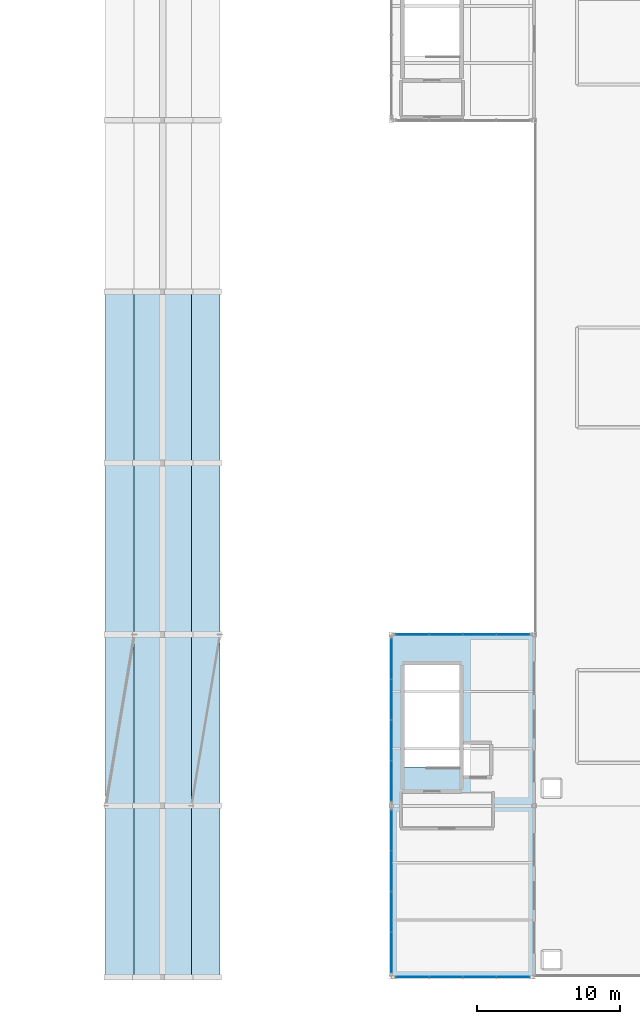
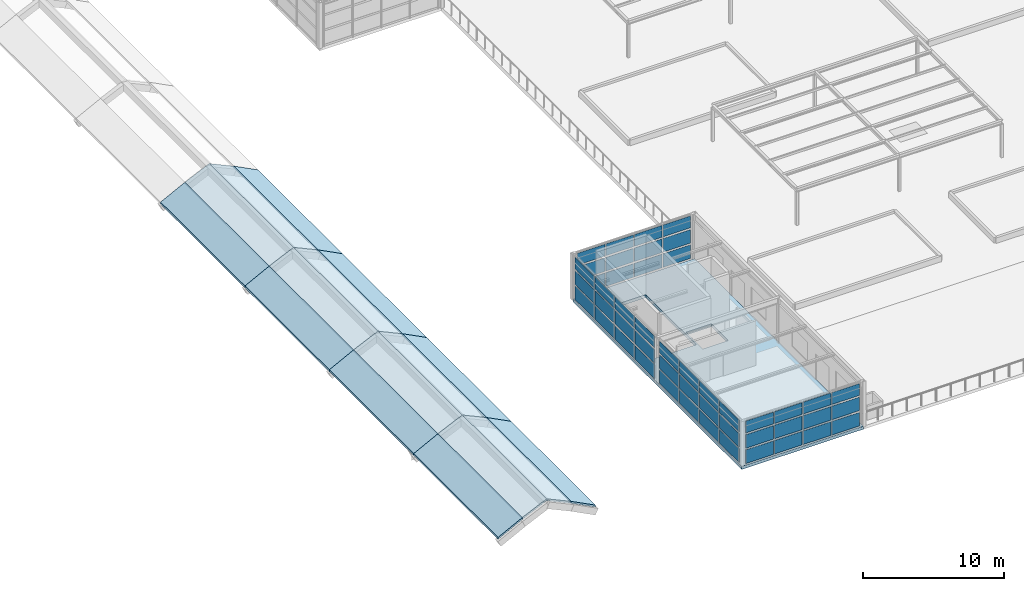
# One storey, part 31 of 49: 48 plates, 17 slabs, 4 elements without a shape of their own.
"""IFC4 building model written with IfcOpenShell, lengths in metres."""

from ifc_helpers import new_model, si_unit, direction, frame, origin, origin_2d, place, context, subcontext, project, spatial, polyline, rectangle, outline, extrude, material, layer, layer_set, type_object, element, aggregate, save


model = new_model("IFC4")

# Units and contexts
model_context = context("Model", 3, precision=1e-05, world=origin(), true_north=direction((0.0, 1.0)))
body_context = subcontext(model_context, "Body", "Model", "MODEL_VIEW")
ifc_project = project(units=[si_unit("LENGTHUNIT", "METRE"), si_unit("AREAUNIT", "SQUARE_METRE"), si_unit("VOLUMEUNIT", "CUBIC_METRE"), si_unit("PLANEANGLEUNIT", "RADIAN"), si_unit("MASSUNIT", "GRAM", prefix="KILO")], contexts=[model_context])

# Site, building, storey
site_placement = place(None, origin())
site = spatial("IfcSite", under=ifc_project, at=site_placement, CompositionType="ELEMENT")
building_placement = place(site_placement, origin())
building = spatial("IfcBuilding", under=site, at=building_placement, Name="Sitalva Quay Ferry Terminal", CompositionType="ELEMENT")
storey_placement = place(building_placement, frame((0.0, 0.0, 10.199951171875)))
storey = spatial("IfcBuildingStorey", under=building, at=storey_placement, Name="L03", CompositionType="ELEMENT", Elevation=10.199951171875)

# Curtain wall, plates
ifc_material_1 = material(Name="Anodised Aluminium & Low-E Glazing", Category="aluminium")
ifc_layer_1 = layer(ifc_material_1, 0.159912109375)
ifc_layer_set_1 = layer_set([ifc_layer_1], Name="Anodised Aluminium & Low-E Glazing")
curtain_wall_type = type_object("IfcCurtainWallType", Name="CW_Concourse_Unitised", PredefinedType="USERDEFINED", material=ifc_layer_set_1)
curtain_wall_1_placement = place(storey_placement, origin())
curtain_wall_1 = element("IfcCurtainWall", 1, at=curtain_wall_1_placement, inside=storey, type_object=curtain_wall_type, Name="L03 promenade pavilion south glazing (CW-L03-086)", ObjectType="CURTAIN_WALL", PredefinedType="USERDEFINED")
ifc_material_2 = material(Name="Acoustic Laminated Marine Glazing", Category="glass")
ifc_layer_2 = layer(ifc_material_2, 0.033935546875)
ifc_layer_set_2 = layer_set([ifc_layer_2], Name="Acoustic Laminated Marine Glazing")
plate_type = type_object("IfcPlateType", Name="Panel_Marine_IGU_34", PredefinedType="CURTAIN_PANEL", material=ifc_layer_set_2)
plate_1_placement = place(storey_placement, frame((75.47509765625, 6.0, 0.14990234375), z_axis=(0.0, 0.0, 1.0), x_axis=(1.0, 0.0, 0.0)))
plate_1 = element("IfcPlate", 2, at=plate_1_placement, type_object=plate_type, Name="CW-L03-086-P0-0", PredefinedType="CURTAIN_PANEL", context=body_context, shape_type="SweptSolid", body=[
    extrude(rectangle(XDim=2.264892578125, YDim=0.033935546875, at=origin_2d()), origin(), (0.0, 0.0, 1.0), 1.1767578125),
])
plate_2_placement = place(storey_placement, frame((75.47509765625, 6.0, 1.4765625), z_axis=(0.0, 0.0, 1.0), x_axis=(1.0, 0.0, 0.0)))
plate_2 = element("IfcPlate", 3, at=plate_2_placement, type_object=plate_type, Name="CW-L03-086-P0-1", PredefinedType="CURTAIN_PANEL", context=body_context, shape_type="SweptSolid", body=[
    extrude(rectangle(XDim=2.264892578125, YDim=0.033935546875, at=origin_2d()), origin(), (0.0, 0.0, 1.0), 1.1767578125),
])
plate_3_placement = place(storey_placement, frame((75.47509765625, 6.0, 2.80322265625), z_axis=(0.0, 0.0, 1.0), x_axis=(1.0, 0.0, 0.0)))
plate_3 = element("IfcPlate", 4, at=plate_3_placement, type_object=plate_type, Name="CW-L03-086-P0-2", PredefinedType="CURTAIN_PANEL", context=body_context, shape_type="SweptSolid", body=[
    extrude(rectangle(XDim=2.264892578125, YDim=0.033935546875, at=origin_2d()), origin(), (0.0, 0.0, 1.0), 1.026611328125),
])
plate_4_placement = place(storey_placement, frame((77.824951171875, 6.0, 0.14990234375), z_axis=(0.0, 0.0, 1.0), x_axis=(1.0, 0.0, 0.0)))
plate_4 = element("IfcPlate", 5, at=plate_4_placement, type_object=plate_type, Name="CW-L03-086-P1-0", PredefinedType="CURTAIN_PANEL", context=body_context, shape_type="SweptSolid", body=[
    extrude(rectangle(XDim=2.264892578125, YDim=0.033935546875, at=origin_2d()), origin(), (0.0, 0.0, 1.0), 1.1767578125),
])
plate_5_placement = place(storey_placement, frame((77.824951171875, 6.0, 1.4765625), z_axis=(0.0, 0.0, 1.0), x_axis=(1.0, 0.0, 0.0)))
plate_5 = element("IfcPlate", 6, at=plate_5_placement, type_object=plate_type, Name="CW-L03-086-P1-1", PredefinedType="CURTAIN_PANEL", context=body_context, shape_type="SweptSolid", body=[
    extrude(rectangle(XDim=2.264892578125, YDim=0.033935546875, at=origin_2d()), origin(), (0.0, 0.0, 1.0), 1.1767578125),
])
plate_6_placement = place(storey_placement, frame((77.824951171875, 6.0, 2.80322265625), z_axis=(0.0, 0.0, 1.0), x_axis=(1.0, 0.0, 0.0)))
plate_6 = element("IfcPlate", 7, at=plate_6_placement, type_object=plate_type, Name="CW-L03-086-P1-2", PredefinedType="CURTAIN_PANEL", context=body_context, shape_type="SweptSolid", body=[
    extrude(rectangle(XDim=2.264892578125, YDim=0.033935546875, at=origin_2d()), origin(), (0.0, 0.0, 1.0), 1.026611328125),
])
plate_7_placement = place(storey_placement, frame((80.175048828125, 6.0, 0.14990234375), z_axis=(0.0, 0.0, 1.0), x_axis=(1.0, 0.0, 0.0)))
plate_7 = element("IfcPlate", 8, at=plate_7_placement, type_object=plate_type, Name="CW-L03-086-P2-0", PredefinedType="CURTAIN_PANEL", context=body_context, shape_type="SweptSolid", body=[
    extrude(rectangle(XDim=2.264892578125, YDim=0.033935546875, at=origin_2d()), origin(), (0.0, 0.0, 1.0), 1.1767578125),
])
plate_8_placement = place(storey_placement, frame((80.175048828125, 6.0, 1.4765625), z_axis=(0.0, 0.0, 1.0), x_axis=(1.0, 0.0, 0.0)))
plate_8 = element("IfcPlate", 9, at=plate_8_placement, type_object=plate_type, Name="CW-L03-086-P2-1", PredefinedType="CURTAIN_PANEL", context=body_context, shape_type="SweptSolid", body=[
    extrude(rectangle(XDim=2.264892578125, YDim=0.033935546875, at=origin_2d()), origin(), (0.0, 0.0, 1.0), 1.1767578125),
])
plate_9_placement = place(storey_placement, frame((80.175048828125, 6.0, 2.80322265625), z_axis=(0.0, 0.0, 1.0), x_axis=(1.0, 0.0, 0.0)))
plate_9 = element("IfcPlate", 10, at=plate_9_placement, type_object=plate_type, Name="CW-L03-086-P2-2", PredefinedType="CURTAIN_PANEL", context=body_context, shape_type="SweptSolid", body=[
    extrude(rectangle(XDim=2.264892578125, YDim=0.033935546875, at=origin_2d()), origin(), (0.0, 0.0, 1.0), 1.026611328125),
])
plate_10_placement = place(storey_placement, frame((82.52490234375, 6.0, 0.14990234375), z_axis=(0.0, 0.0, 1.0), x_axis=(1.0, 0.0, 0.0)))
plate_10 = element("IfcPlate", 11, at=plate_10_placement, type_object=plate_type, Name="CW-L03-086-P3-0", PredefinedType="CURTAIN_PANEL", context=body_context, shape_type="SweptSolid", body=[
    extrude(rectangle(XDim=2.264892578125, YDim=0.033935546875, at=origin_2d()), origin(), (0.0, 0.0, 1.0), 1.1767578125),
])
plate_11_placement = place(storey_placement, frame((82.52490234375, 6.0, 1.4765625), z_axis=(0.0, 0.0, 1.0), x_axis=(1.0, 0.0, 0.0)))
plate_11 = element("IfcPlate", 12, at=plate_11_placement, type_object=plate_type, Name="CW-L03-086-P3-1", PredefinedType="CURTAIN_PANEL", context=body_context, shape_type="SweptSolid", body=[
    extrude(rectangle(XDim=2.264892578125, YDim=0.033935546875, at=origin_2d()), origin(), (0.0, 0.0, 1.0), 1.1767578125),
])
plate_12_placement = place(storey_placement, frame((82.52490234375, 6.0, 2.80322265625), z_axis=(0.0, 0.0, 1.0), x_axis=(1.0, 0.0, 0.0)))
plate_12 = element("IfcPlate", 13, at=plate_12_placement, type_object=plate_type, Name="CW-L03-086-P3-2", PredefinedType="CURTAIN_PANEL", context=body_context, shape_type="SweptSolid", body=[
    extrude(rectangle(XDim=2.264892578125, YDim=0.033935546875, at=origin_2d()), origin(), (0.0, 0.0, 1.0), 1.026611328125),
])
aggregate(curtain_wall_1, [plate_1, plate_2, plate_3, plate_4, plate_5, plate_6, plate_7, plate_8, plate_9, plate_10, plate_11, plate_12])

curtain_wall_2_placement = place(storey_placement, origin())
curtain_wall_2 = element("IfcCurtainWall", 14, at=curtain_wall_2_placement, inside=storey, type_object=curtain_wall_type, Name="L03 promenade pavilion north glazing (CW-L03-087)", ObjectType="CURTAIN_WALL", PredefinedType="USERDEFINED")
plate_13_placement = place(storey_placement, frame((75.47509765625, 30.0, 0.14990234375), z_axis=(0.0, 0.0, 1.0), x_axis=(1.0, 0.0, 0.0)))
plate_13 = element("IfcPlate", 15, at=plate_13_placement, type_object=plate_type, Name="CW-L03-087-P0-0", PredefinedType="CURTAIN_PANEL", context=body_context, shape_type="SweptSolid", body=[
    extrude(rectangle(XDim=2.264892578125, YDim=0.033935546875, at=origin_2d()), origin(), (0.0, 0.0, 1.0), 1.1767578125),
])
plate_14_placement = place(storey_placement, frame((75.47509765625, 30.0, 1.4765625), z_axis=(0.0, 0.0, 1.0), x_axis=(1.0, 0.0, 0.0)))
plate_14 = element("IfcPlate", 16, at=plate_14_placement, type_object=plate_type, Name="CW-L03-087-P0-1", PredefinedType="CURTAIN_PANEL", context=body_context, shape_type="SweptSolid", body=[
    extrude(rectangle(XDim=2.264892578125, YDim=0.033935546875, at=origin_2d()), origin(), (0.0, 0.0, 1.0), 1.1767578125),
])
plate_15_placement = place(storey_placement, frame((75.47509765625, 30.0, 2.80322265625), z_axis=(0.0, 0.0, 1.0), x_axis=(1.0, 0.0, 0.0)))
plate_15 = element("IfcPlate", 17, at=plate_15_placement, type_object=plate_type, Name="CW-L03-087-P0-2", PredefinedType="CURTAIN_PANEL", context=body_context, shape_type="SweptSolid", body=[
    extrude(rectangle(XDim=2.264892578125, YDim=0.033935546875, at=origin_2d()), origin(), (0.0, 0.0, 1.0), 1.026611328125),
])
plate_16_placement = place(storey_placement, frame((77.824951171875, 30.0, 0.14990234375), z_axis=(0.0, 0.0, 1.0), x_axis=(1.0, 0.0, 0.0)))
plate_16 = element("IfcPlate", 18, at=plate_16_placement, type_object=plate_type, Name="CW-L03-087-P1-0", PredefinedType="CURTAIN_PANEL", context=body_context, shape_type="SweptSolid", body=[
    extrude(rectangle(XDim=2.264892578125, YDim=0.033935546875, at=origin_2d()), origin(), (0.0, 0.0, 1.0), 1.1767578125),
])
plate_17_placement = place(storey_placement, frame((77.824951171875, 30.0, 1.4765625), z_axis=(0.0, 0.0, 1.0), x_axis=(1.0, 0.0, 0.0)))
plate_17 = element("IfcPlate", 19, at=plate_17_placement, type_object=plate_type, Name="CW-L03-087-P1-1", PredefinedType="CURTAIN_PANEL", context=body_context, shape_type="SweptSolid", body=[
    extrude(rectangle(XDim=2.264892578125, YDim=0.033935546875, at=origin_2d()), origin(), (0.0, 0.0, 1.0), 1.1767578125),
])
plate_18_placement = place(storey_placement, frame((77.824951171875, 30.0, 2.80322265625), z_axis=(0.0, 0.0, 1.0), x_axis=(1.0, 0.0, 0.0)))
plate_18 = element("IfcPlate", 20, at=plate_18_placement, type_object=plate_type, Name="CW-L03-087-P1-2", PredefinedType="CURTAIN_PANEL", context=body_context, shape_type="SweptSolid", body=[
    extrude(rectangle(XDim=2.264892578125, YDim=0.033935546875, at=origin_2d()), origin(), (0.0, 0.0, 1.0), 1.026611328125),
])
plate_19_placement = place(storey_placement, frame((80.175048828125, 30.0, 0.14990234375), z_axis=(0.0, 0.0, 1.0), x_axis=(1.0, 0.0, 0.0)))
plate_19 = element("IfcPlate", 21, at=plate_19_placement, type_object=plate_type, Name="CW-L03-087-P2-0", PredefinedType="CURTAIN_PANEL", context=body_context, shape_type="SweptSolid", body=[
    extrude(rectangle(XDim=2.264892578125, YDim=0.033935546875, at=origin_2d()), origin(), (0.0, 0.0, 1.0), 1.1767578125),
])
plate_20_placement = place(storey_placement, frame((80.175048828125, 30.0, 1.4765625), z_axis=(0.0, 0.0, 1.0), x_axis=(1.0, 0.0, 0.0)))
plate_20 = element("IfcPlate", 22, at=plate_20_placement, type_object=plate_type, Name="CW-L03-087-P2-1", PredefinedType="CURTAIN_PANEL", context=body_context, shape_type="SweptSolid", body=[
    extrude(rectangle(XDim=2.264892578125, YDim=0.033935546875, at=origin_2d()), origin(), (0.0, 0.0, 1.0), 1.1767578125),
])
plate_21_placement = place(storey_placement, frame((80.175048828125, 30.0, 2.80322265625), z_axis=(0.0, 0.0, 1.0), x_axis=(1.0, 0.0, 0.0)))
plate_21 = element("IfcPlate", 23, at=plate_21_placement, type_object=plate_type, Name="CW-L03-087-P2-2", PredefinedType="CURTAIN_PANEL", context=body_context, shape_type="SweptSolid", body=[
    extrude(rectangle(XDim=2.264892578125, YDim=0.033935546875, at=origin_2d()), origin(), (0.0, 0.0, 1.0), 1.026611328125),
])
plate_22_placement = place(storey_placement, frame((82.52490234375, 30.0, 0.14990234375), z_axis=(0.0, 0.0, 1.0), x_axis=(1.0, 0.0, 0.0)))
plate_22 = element("IfcPlate", 24, at=plate_22_placement, type_object=plate_type, Name="CW-L03-087-P3-0", PredefinedType="CURTAIN_PANEL", context=body_context, shape_type="SweptSolid", body=[
    extrude(rectangle(XDim=2.264892578125, YDim=0.033935546875, at=origin_2d()), origin(), (0.0, 0.0, 1.0), 1.1767578125),
])
plate_23_placement = place(storey_placement, frame((82.52490234375, 30.0, 1.4765625), z_axis=(0.0, 0.0, 1.0), x_axis=(1.0, 0.0, 0.0)))
plate_23 = element("IfcPlate", 25, at=plate_23_placement, type_object=plate_type, Name="CW-L03-087-P3-1", PredefinedType="CURTAIN_PANEL", context=body_context, shape_type="SweptSolid", body=[
    extrude(rectangle(XDim=2.264892578125, YDim=0.033935546875, at=origin_2d()), origin(), (0.0, 0.0, 1.0), 1.1767578125),
])
plate_24_placement = place(storey_placement, frame((82.52490234375, 30.0, 2.80322265625), z_axis=(0.0, 0.0, 1.0), x_axis=(1.0, 0.0, 0.0)))
plate_24 = element("IfcPlate", 26, at=plate_24_placement, type_object=plate_type, Name="CW-L03-087-P3-2", PredefinedType="CURTAIN_PANEL", context=body_context, shape_type="SweptSolid", body=[
    extrude(rectangle(XDim=2.264892578125, YDim=0.033935546875, at=origin_2d()), origin(), (0.0, 0.0, 1.0), 1.026611328125),
])
aggregate(curtain_wall_2, [plate_13, plate_14, plate_15, plate_16, plate_17, plate_18, plate_19, plate_20, plate_21, plate_22, plate_23, plate_24])

curtain_wall_3_placement = place(storey_placement, origin())
curtain_wall_3 = element("IfcCurtainWall", 27, at=curtain_wall_3_placement, inside=storey, type_object=curtain_wall_type, Name="L03 promenade pavilion west glazing (CW-L03-088)", ObjectType="CURTAIN_WALL", PredefinedType="USERDEFINED")
plate_25_placement = place(storey_placement, frame((74.0, 7.72509765625, 0.14990234375), z_axis=(0.0, 0.0, 1.0), x_axis=(0.0, 1.0, 0.0)))
plate_25 = element("IfcPlate", 28, at=plate_25_placement, type_object=plate_type, Name="CW-L03-088-P0-0", PredefinedType="CURTAIN_PANEL", context=body_context, shape_type="SweptSolid", body=[
    extrude(rectangle(XDim=2.764892578125, YDim=0.033935546875, at=origin_2d()), origin(), (0.0, 0.0, 1.0), 1.1767578125),
])
plate_26_placement = place(storey_placement, frame((74.0, 7.72509765625, 1.4765625), z_axis=(0.0, 0.0, 1.0), x_axis=(0.0, 1.0, 0.0)))
plate_26 = element("IfcPlate", 29, at=plate_26_placement, type_object=plate_type, Name="CW-L03-088-P0-1", PredefinedType="CURTAIN_PANEL", context=body_context, shape_type="SweptSolid", body=[
    extrude(rectangle(XDim=2.764892578125, YDim=0.033935546875, at=origin_2d()), origin(), (0.0, 0.0, 1.0), 1.1767578125),
])
plate_27_placement = place(storey_placement, frame((74.0, 7.72509765625, 2.80322265625), z_axis=(0.0, 0.0, 1.0), x_axis=(0.0, 1.0, 0.0)))
plate_27 = element("IfcPlate", 30, at=plate_27_placement, type_object=plate_type, Name="CW-L03-088-P0-2", PredefinedType="CURTAIN_PANEL", context=body_context, shape_type="SweptSolid", body=[
    extrude(rectangle(XDim=2.764892578125, YDim=0.033935546875, at=origin_2d()), origin(), (0.0, 0.0, 1.0), 1.026611328125),
])
plate_28_placement = place(storey_placement, frame((74.0, 10.574951171875, 0.14990234375), z_axis=(0.0, 0.0, 1.0), x_axis=(0.0, 1.0, 0.0)))
plate_28 = element("IfcPlate", 31, at=plate_28_placement, type_object=plate_type, Name="CW-L03-088-P1-0", PredefinedType="CURTAIN_PANEL", context=body_context, shape_type="SweptSolid", body=[
    extrude(rectangle(XDim=2.764892578125, YDim=0.033935546875, at=origin_2d()), origin(), (0.0, 0.0, 1.0), 1.1767578125),
])
plate_29_placement = place(storey_placement, frame((74.0, 10.574951171875, 1.4765625), z_axis=(0.0, 0.0, 1.0), x_axis=(0.0, 1.0, 0.0)))
plate_29 = element("IfcPlate", 32, at=plate_29_placement, type_object=plate_type, Name="CW-L03-088-P1-1", PredefinedType="CURTAIN_PANEL", context=body_context, shape_type="SweptSolid", body=[
    extrude(rectangle(XDim=2.764892578125, YDim=0.033935546875, at=origin_2d()), origin(), (0.0, 0.0, 1.0), 1.1767578125),
])
plate_30_placement = place(storey_placement, frame((74.0, 10.574951171875, 2.80322265625), z_axis=(0.0, 0.0, 1.0), x_axis=(0.0, 1.0, 0.0)))
plate_30 = element("IfcPlate", 33, at=plate_30_placement, type_object=plate_type, Name="CW-L03-088-P1-2", PredefinedType="CURTAIN_PANEL", context=body_context, shape_type="SweptSolid", body=[
    extrude(rectangle(XDim=2.764892578125, YDim=0.033935546875, at=origin_2d()), origin(), (0.0, 0.0, 1.0), 1.026611328125),
])
plate_31_placement = place(storey_placement, frame((74.0, 13.425048828125, 0.14990234375), z_axis=(0.0, 0.0, 1.0), x_axis=(0.0, 1.0, 0.0)))
plate_31 = element("IfcPlate", 34, at=plate_31_placement, type_object=plate_type, Name="CW-L03-088-P2-0", PredefinedType="CURTAIN_PANEL", context=body_context, shape_type="SweptSolid", body=[
    extrude(rectangle(XDim=2.764892578125, YDim=0.033935546875, at=origin_2d()), origin(), (0.0, 0.0, 1.0), 1.1767578125),
])
plate_32_placement = place(storey_placement, frame((74.0, 13.425048828125, 1.4765625), z_axis=(0.0, 0.0, 1.0), x_axis=(0.0, 1.0, 0.0)))
plate_32 = element("IfcPlate", 35, at=plate_32_placement, type_object=plate_type, Name="CW-L03-088-P2-1", PredefinedType="CURTAIN_PANEL", context=body_context, shape_type="SweptSolid", body=[
    extrude(rectangle(XDim=2.764892578125, YDim=0.033935546875, at=origin_2d()), origin(), (0.0, 0.0, 1.0), 1.1767578125),
])
plate_33_placement = place(storey_placement, frame((74.0, 13.425048828125, 2.80322265625), z_axis=(0.0, 0.0, 1.0), x_axis=(0.0, 1.0, 0.0)))
plate_33 = element("IfcPlate", 36, at=plate_33_placement, type_object=plate_type, Name="CW-L03-088-P2-2", PredefinedType="CURTAIN_PANEL", context=body_context, shape_type="SweptSolid", body=[
    extrude(rectangle(XDim=2.764892578125, YDim=0.033935546875, at=origin_2d()), origin(), (0.0, 0.0, 1.0), 1.026611328125),
])
plate_34_placement = place(storey_placement, frame((74.0, 16.27490234375, 0.14990234375), z_axis=(0.0, 0.0, 1.0), x_axis=(0.0, 1.0, 0.0)))
plate_34 = element("IfcPlate", 37, at=plate_34_placement, type_object=plate_type, Name="CW-L03-088-P3-0", PredefinedType="CURTAIN_PANEL", context=body_context, shape_type="SweptSolid", body=[
    extrude(rectangle(XDim=2.764892578125, YDim=0.033935546875, at=origin_2d()), origin(), (0.0, 0.0, 1.0), 1.1767578125),
])
plate_35_placement = place(storey_placement, frame((74.0, 16.27490234375, 1.4765625), z_axis=(0.0, 0.0, 1.0), x_axis=(0.0, 1.0, 0.0)))
plate_35 = element("IfcPlate", 38, at=plate_35_placement, type_object=plate_type, Name="CW-L03-088-P3-1", PredefinedType="CURTAIN_PANEL", context=body_context, shape_type="SweptSolid", body=[
    extrude(rectangle(XDim=2.764892578125, YDim=0.033935546875, at=origin_2d()), origin(), (0.0, 0.0, 1.0), 1.1767578125),
])
plate_36_placement = place(storey_placement, frame((74.0, 16.27490234375, 2.80322265625), z_axis=(0.0, 0.0, 1.0), x_axis=(0.0, 1.0, 0.0)))
plate_36 = element("IfcPlate", 39, at=plate_36_placement, type_object=plate_type, Name="CW-L03-088-P3-2", PredefinedType="CURTAIN_PANEL", context=body_context, shape_type="SweptSolid", body=[
    extrude(rectangle(XDim=2.764892578125, YDim=0.033935546875, at=origin_2d()), origin(), (0.0, 0.0, 1.0), 1.026611328125),
])
aggregate(curtain_wall_3, [plate_25, plate_26, plate_27, plate_28, plate_29, plate_30, plate_31, plate_32, plate_33, plate_34, plate_35, plate_36])

curtain_wall_4_placement = place(storey_placement, origin())
curtain_wall_4 = element("IfcCurtainWall", 40, at=curtain_wall_4_placement, inside=storey, type_object=curtain_wall_type, Name="L03 promenade pavilion west glazing (CW-L03-089)", ObjectType="CURTAIN_WALL", PredefinedType="USERDEFINED")
plate_37_placement = place(storey_placement, frame((74.0, 19.72509765625, 0.14990234375), z_axis=(0.0, 0.0, 1.0), x_axis=(0.0, 1.0, 0.0)))
plate_37 = element("IfcPlate", 41, at=plate_37_placement, type_object=plate_type, Name="CW-L03-089-P0-0", PredefinedType="CURTAIN_PANEL", context=body_context, shape_type="SweptSolid", body=[
    extrude(rectangle(XDim=2.764892578125, YDim=0.033935546875, at=origin_2d()), origin(), (0.0, 0.0, 1.0), 1.1767578125),
])
plate_38_placement = place(storey_placement, frame((74.0, 19.72509765625, 1.4765625), z_axis=(0.0, 0.0, 1.0), x_axis=(0.0, 1.0, 0.0)))
plate_38 = element("IfcPlate", 42, at=plate_38_placement, type_object=plate_type, Name="CW-L03-089-P0-1", PredefinedType="CURTAIN_PANEL", context=body_context, shape_type="SweptSolid", body=[
    extrude(rectangle(XDim=2.764892578125, YDim=0.033935546875, at=origin_2d()), origin(), (0.0, 0.0, 1.0), 1.1767578125),
])
plate_39_placement = place(storey_placement, frame((74.0, 19.72509765625, 2.80322265625), z_axis=(0.0, 0.0, 1.0), x_axis=(0.0, 1.0, 0.0)))
plate_39 = element("IfcPlate", 43, at=plate_39_placement, type_object=plate_type, Name="CW-L03-089-P0-2", PredefinedType="CURTAIN_PANEL", context=body_context, shape_type="SweptSolid", body=[
    extrude(rectangle(XDim=2.764892578125, YDim=0.033935546875, at=origin_2d()), origin(), (0.0, 0.0, 1.0), 1.026611328125),
])
plate_40_placement = place(storey_placement, frame((74.0, 22.574951171875, 0.14990234375), z_axis=(0.0, 0.0, 1.0), x_axis=(0.0, 1.0, 0.0)))
plate_40 = element("IfcPlate", 44, at=plate_40_placement, type_object=plate_type, Name="CW-L03-089-P1-0", PredefinedType="CURTAIN_PANEL", context=body_context, shape_type="SweptSolid", body=[
    extrude(rectangle(XDim=2.764892578125, YDim=0.033935546875, at=origin_2d()), origin(), (0.0, 0.0, 1.0), 1.1767578125),
])
plate_41_placement = place(storey_placement, frame((74.0, 22.574951171875, 1.4765625), z_axis=(0.0, 0.0, 1.0), x_axis=(0.0, 1.0, 0.0)))
plate_41 = element("IfcPlate", 45, at=plate_41_placement, type_object=plate_type, Name="CW-L03-089-P1-1", PredefinedType="CURTAIN_PANEL", context=body_context, shape_type="SweptSolid", body=[
    extrude(rectangle(XDim=2.764892578125, YDim=0.033935546875, at=origin_2d()), origin(), (0.0, 0.0, 1.0), 1.1767578125),
])
plate_42_placement = place(storey_placement, frame((74.0, 22.574951171875, 2.80322265625), z_axis=(0.0, 0.0, 1.0), x_axis=(0.0, 1.0, 0.0)))
plate_42 = element("IfcPlate", 46, at=plate_42_placement, type_object=plate_type, Name="CW-L03-089-P1-2", PredefinedType="CURTAIN_PANEL", context=body_context, shape_type="SweptSolid", body=[
    extrude(rectangle(XDim=2.764892578125, YDim=0.033935546875, at=origin_2d()), origin(), (0.0, 0.0, 1.0), 1.026611328125),
])
plate_43_placement = place(storey_placement, frame((74.0, 25.425048828125, 0.14990234375), z_axis=(0.0, 0.0, 1.0), x_axis=(0.0, 1.0, 0.0)))
plate_43 = element("IfcPlate", 47, at=plate_43_placement, type_object=plate_type, Name="CW-L03-089-P2-0", PredefinedType="CURTAIN_PANEL", context=body_context, shape_type="SweptSolid", body=[
    extrude(rectangle(XDim=2.764892578125, YDim=0.033935546875, at=origin_2d()), origin(), (0.0, 0.0, 1.0), 1.1767578125),
])
plate_44_placement = place(storey_placement, frame((74.0, 25.425048828125, 1.4765625), z_axis=(0.0, 0.0, 1.0), x_axis=(0.0, 1.0, 0.0)))
plate_44 = element("IfcPlate", 48, at=plate_44_placement, type_object=plate_type, Name="CW-L03-089-P2-1", PredefinedType="CURTAIN_PANEL", context=body_context, shape_type="SweptSolid", body=[
    extrude(rectangle(XDim=2.764892578125, YDim=0.033935546875, at=origin_2d()), origin(), (0.0, 0.0, 1.0), 1.1767578125),
])
plate_45_placement = place(storey_placement, frame((74.0, 25.425048828125, 2.80322265625), z_axis=(0.0, 0.0, 1.0), x_axis=(0.0, 1.0, 0.0)))
plate_45 = element("IfcPlate", 49, at=plate_45_placement, type_object=plate_type, Name="CW-L03-089-P2-2", PredefinedType="CURTAIN_PANEL", context=body_context, shape_type="SweptSolid", body=[
    extrude(rectangle(XDim=2.764892578125, YDim=0.033935546875, at=origin_2d()), origin(), (0.0, 0.0, 1.0), 1.026611328125),
])
plate_46_placement = place(storey_placement, frame((74.0, 28.27490234375, 0.14990234375), z_axis=(0.0, 0.0, 1.0), x_axis=(0.0, 1.0, 0.0)))
plate_46 = element("IfcPlate", 50, at=plate_46_placement, type_object=plate_type, Name="CW-L03-089-P3-0", PredefinedType="CURTAIN_PANEL", context=body_context, shape_type="SweptSolid", body=[
    extrude(rectangle(XDim=2.764892578125, YDim=0.033935546875, at=origin_2d()), origin(), (0.0, 0.0, 1.0), 1.1767578125),
])
plate_47_placement = place(storey_placement, frame((74.0, 28.27490234375, 1.4765625), z_axis=(0.0, 0.0, 1.0), x_axis=(0.0, 1.0, 0.0)))
plate_47 = element("IfcPlate", 51, at=plate_47_placement, type_object=plate_type, Name="CW-L03-089-P3-1", PredefinedType="CURTAIN_PANEL", context=body_context, shape_type="SweptSolid", body=[
    extrude(rectangle(XDim=2.764892578125, YDim=0.033935546875, at=origin_2d()), origin(), (0.0, 0.0, 1.0), 1.1767578125),
])
plate_48_placement = place(storey_placement, frame((74.0, 28.27490234375, 2.80322265625), z_axis=(0.0, 0.0, 1.0), x_axis=(0.0, 1.0, 0.0)))
plate_48 = element("IfcPlate", 52, at=plate_48_placement, type_object=plate_type, Name="CW-L03-089-P3-2", PredefinedType="CURTAIN_PANEL", context=body_context, shape_type="SweptSolid", body=[
    extrude(rectangle(XDim=2.764892578125, YDim=0.033935546875, at=origin_2d()), origin(), (0.0, 0.0, 1.0), 1.026611328125),
])
aggregate(curtain_wall_4, [plate_37, plate_38, plate_39, plate_40, plate_41, plate_42, plate_43, plate_44, plate_45, plate_46, plate_47, plate_48])

# Slabs
ifc_material_3 = material(Name="Concrete C40/50", Category="concrete")
ifc_layer_3 = layer(ifc_material_3, 0.159912109375)
ifc_layer_set_3 = layer_set([ifc_layer_3], Name="Concrete C40/50")
slab_type_1 = type_object("IfcSlabType", Name="Slab_PointedVaultShell_160", PredefinedType="ROOF", material=ifc_layer_set_3)
slab_1_placement = place(storey_placement, frame((54.0, 6.0, 0.85009765625), z_axis=(-0.457173834752, 0.0, 0.889377357941), x_axis=(0.889377357941, 0.0, 0.457173834752)))
element("IfcSlab", 53, at=slab_1_placement, inside=storey, type_object=slab_type_1, Name="Vault V1 pointed shell facet B1-F7", PredefinedType="ROOF", context=body_context, shape_type="SweptSolid", body=[
    extrude(outline(polyline([(0.0, 0.0), (2.248764241795292, 0.0), (2.248764241795292, 12.0), (0.0, 12.0), (0.0, 0.0)])), origin(), (-0.457173834752, 0.0, -0.889377357941), 0.179931640625),
])
slab_2_placement = place(storey_placement, frame((56.0, 6.0, 1.878173828125), z_axis=(-0.418608195746, 0.0, 0.908166933143), x_axis=(0.908166933143, 0.0, 0.418608195746)))
element("IfcSlab", 54, at=slab_2_placement, inside=storey, type_object=slab_type_1, Name="Vault V1 pointed shell facet B1-F8", PredefinedType="ROOF", context=body_context, shape_type="SweptSolid", body=[
    extrude(outline(polyline([(0.0, 0.0), (2.2022382967392518, 0.0), (2.2022382967392518, 12.0), (0.0, 12.0), (0.0, 0.0)])), origin(), (-0.418608195746, 0.0, -0.908166933143), 0.17626953125),
])
slab_3_placement = place(storey_placement, frame((58.0, 6.0, 2.800048828125), z_axis=(0.418608195746, 0.0, 0.908166933143), x_axis=(0.908166933143, 0.0, -0.418608195746)))
element("IfcSlab", 55, at=slab_3_placement, inside=storey, type_object=slab_type_1, Name="Vault V1 pointed shell facet B1-F9", PredefinedType="ROOF", context=body_context, shape_type="SweptSolid", body=[
    extrude(outline(polyline([(0.0, 0.0), (2.2022382967392518, 0.0), (2.2022382967392518, 12.0), (0.0, 12.0), (0.0, 0.0)])), origin(), (0.418608195746, 0.0, -0.908166933143), 0.17626953125),
])
slab_4_placement = place(storey_placement, frame((60.0, 6.0, 1.878173828125), z_axis=(0.457173834752, 0.0, 0.889377357941), x_axis=(0.889377357941, 0.0, -0.457173834752)))
element("IfcSlab", 56, at=slab_4_placement, inside=storey, type_object=slab_type_1, Name="Vault V1 pointed shell facet B1-F10", PredefinedType="ROOF", context=body_context, shape_type="SweptSolid", body=[
    extrude(outline(polyline([(0.0, 0.0), (2.248764241795292, 0.0), (2.248764241795292, 12.0), (0.0, 12.0), (0.0, 0.0)])), origin(), (0.457173834752, 0.0, -0.889377357941), 0.179931640625),
])
slab_5_placement = place(storey_placement, frame((54.0, 18.0, 0.85009765625), z_axis=(-0.457173834752, 0.0, 0.889377357941), x_axis=(0.889377357941, 0.0, 0.457173834752)))
element("IfcSlab", 57, at=slab_5_placement, inside=storey, type_object=slab_type_1, Name="Vault V1 pointed shell facet B2-F7", PredefinedType="ROOF", context=body_context, shape_type="SweptSolid", body=[
    extrude(outline(polyline([(0.0, 0.0), (2.248764241795292, 0.0), (2.248764241795292, 12.0), (0.0, 12.0), (0.0, 0.0)])), origin(), (-0.457173834752, 0.0, -0.889377357941), 0.179931640625),
])
slab_6_placement = place(storey_placement, frame((56.0, 18.0, 1.878173828125), z_axis=(-0.418608195746, 0.0, 0.908166933143), x_axis=(0.908166933143, 0.0, 0.418608195746)))
element("IfcSlab", 58, at=slab_6_placement, inside=storey, type_object=slab_type_1, Name="Vault V1 pointed shell facet B2-F8", PredefinedType="ROOF", context=body_context, shape_type="SweptSolid", body=[
    extrude(outline(polyline([(0.0, 0.0), (2.2022382967392518, 0.0), (2.2022382967392518, 12.0), (0.0, 12.0), (0.0, 0.0)])), origin(), (-0.418608195746, 0.0, -0.908166933143), 0.17626953125),
])
slab_7_placement = place(storey_placement, frame((58.0, 18.0, 2.800048828125), z_axis=(0.418608195746, 0.0, 0.908166933143), x_axis=(0.908166933143, 0.0, -0.418608195746)))
element("IfcSlab", 59, at=slab_7_placement, inside=storey, type_object=slab_type_1, Name="Vault V1 pointed shell facet B2-F9", PredefinedType="ROOF", context=body_context, shape_type="SweptSolid", body=[
    extrude(outline(polyline([(0.0, 0.0), (2.2022382967392518, 0.0), (2.2022382967392518, 12.0), (0.0, 12.0), (0.0, 0.0)])), origin(), (0.418608195746, 0.0, -0.908166933143), 0.17626953125),
])
slab_8_placement = place(storey_placement, frame((60.0, 18.0, 1.878173828125), z_axis=(0.457173834752, 0.0, 0.889377357941), x_axis=(0.889377357941, 0.0, -0.457173834752)))
element("IfcSlab", 60, at=slab_8_placement, inside=storey, type_object=slab_type_1, Name="Vault V1 pointed shell facet B2-F10", PredefinedType="ROOF", context=body_context, shape_type="SweptSolid", body=[
    extrude(outline(polyline([(0.0, 0.0), (2.248764241795292, 0.0), (2.248764241795292, 12.0), (0.0, 12.0), (0.0, 0.0)])), origin(), (0.457173834752, 0.0, -0.889377357941), 0.179931640625),
])
slab_9_placement = place(storey_placement, frame((54.0, 30.0, 0.85009765625), z_axis=(-0.457173834752, 0.0, 0.889377357941), x_axis=(0.889377357941, 0.0, 0.457173834752)))
element("IfcSlab", 61, at=slab_9_placement, inside=storey, type_object=slab_type_1, Name="Vault V1 pointed shell facet B3-F7", PredefinedType="ROOF", context=body_context, shape_type="SweptSolid", body=[
    extrude(outline(polyline([(0.0, 0.0), (2.248764241795292, 0.0), (2.248764241795292, 12.0), (0.0, 12.0), (0.0, 0.0)])), origin(), (-0.457173834752, 0.0, -0.889377357941), 0.179931640625),
])
slab_10_placement = place(storey_placement, frame((56.0, 30.0, 1.878173828125), z_axis=(-0.418608195746, 0.0, 0.908166933143), x_axis=(0.908166933143, 0.0, 0.418608195746)))
element("IfcSlab", 62, at=slab_10_placement, inside=storey, type_object=slab_type_1, Name="Vault V1 pointed shell facet B3-F8", PredefinedType="ROOF", context=body_context, shape_type="SweptSolid", body=[
    extrude(outline(polyline([(0.0, 0.0), (2.2022382967392518, 0.0), (2.2022382967392518, 12.0), (0.0, 12.0), (0.0, 0.0)])), origin(), (-0.418608195746, 0.0, -0.908166933143), 0.17626953125),
])
slab_11_placement = place(storey_placement, frame((58.0, 30.0, 2.800048828125), z_axis=(0.418608195746, 0.0, 0.908166933143), x_axis=(0.908166933143, 0.0, -0.418608195746)))
element("IfcSlab", 63, at=slab_11_placement, inside=storey, type_object=slab_type_1, Name="Vault V1 pointed shell facet B3-F9", PredefinedType="ROOF", context=body_context, shape_type="SweptSolid", body=[
    extrude(outline(polyline([(0.0, 0.0), (2.2022382967392518, 0.0), (2.2022382967392518, 12.0), (0.0, 12.0), (0.0, 0.0)])), origin(), (0.418608195746, 0.0, -0.908166933143), 0.17626953125),
])
slab_12_placement = place(storey_placement, frame((60.0, 30.0, 1.878173828125), z_axis=(0.457173834752, 0.0, 0.889377357941), x_axis=(0.889377357941, 0.0, -0.457173834752)))
element("IfcSlab", 64, at=slab_12_placement, inside=storey, type_object=slab_type_1, Name="Vault V1 pointed shell facet B3-F10", PredefinedType="ROOF", context=body_context, shape_type="SweptSolid", body=[
    extrude(outline(polyline([(0.0, 0.0), (2.248764241795292, 0.0), (2.248764241795292, 12.0), (0.0, 12.0), (0.0, 0.0)])), origin(), (0.457173834752, 0.0, -0.889377357941), 0.179931640625),
])
slab_13_placement = place(storey_placement, frame((54.0, 42.0, 0.85009765625), z_axis=(-0.457173834752, 0.0, 0.889377357941), x_axis=(0.889377357941, 0.0, 0.457173834752)))
element("IfcSlab", 65, at=slab_13_placement, inside=storey, type_object=slab_type_1, Name="Vault V1 pointed shell facet B4-F7", PredefinedType="ROOF", context=body_context, shape_type="SweptSolid", body=[
    extrude(outline(polyline([(0.0, 0.0), (2.248764241795292, 0.0), (2.248764241795292, 12.0), (0.0, 12.0), (0.0, 0.0)])), origin(), (-0.457173834752, 0.0, -0.889377357941), 0.179931640625),
])
slab_14_placement = place(storey_placement, frame((56.0, 42.0, 1.878173828125), z_axis=(-0.418608195746, 0.0, 0.908166933143), x_axis=(0.908166933143, 0.0, 0.418608195746)))
element("IfcSlab", 66, at=slab_14_placement, inside=storey, type_object=slab_type_1, Name="Vault V1 pointed shell facet B4-F8", PredefinedType="ROOF", context=body_context, shape_type="SweptSolid", body=[
    extrude(outline(polyline([(0.0, 0.0), (2.2022382967392518, 0.0), (2.2022382967392518, 12.0), (0.0, 12.0), (0.0, 0.0)])), origin(), (-0.418608195746, 0.0, -0.908166933143), 0.17626953125),
])
slab_15_placement = place(storey_placement, frame((58.0, 42.0, 2.800048828125), z_axis=(0.418608195746, 0.0, 0.908166933143), x_axis=(0.908166933143, 0.0, -0.418608195746)))
element("IfcSlab", 67, at=slab_15_placement, inside=storey, type_object=slab_type_1, Name="Vault V1 pointed shell facet B4-F9", PredefinedType="ROOF", context=body_context, shape_type="SweptSolid", body=[
    extrude(outline(polyline([(0.0, 0.0), (2.2022382967392518, 0.0), (2.2022382967392518, 12.0), (0.0, 12.0), (0.0, 0.0)])), origin(), (0.418608195746, 0.0, -0.908166933143), 0.17626953125),
])
slab_16_placement = place(storey_placement, frame((60.0, 42.0, 1.878173828125), z_axis=(0.457173834752, 0.0, 0.889377357941), x_axis=(0.889377357941, 0.0, -0.457173834752)))
element("IfcSlab", 68, at=slab_16_placement, inside=storey, type_object=slab_type_1, Name="Vault V1 pointed shell facet B4-F10", PredefinedType="ROOF", context=body_context, shape_type="SweptSolid", body=[
    extrude(outline(polyline([(0.0, 0.0), (2.248764241795292, 0.0), (2.248764241795292, 12.0), (0.0, 12.0), (0.0, 0.0)])), origin(), (0.457173834752, 0.0, -0.889377357941), 0.179931640625),
])
ifc_material_4 = material(Name="Concrete C35/45", Category="concrete")
ifc_layer_4 = layer(ifc_material_4, 0.260009765625)
ifc_layer_set_4 = layer_set([ifc_layer_4], Name="Concrete C35/45")
slab_type_2 = type_object("IfcSlabType", Name="Slab_Promenade_260", PredefinedType="FLOOR", material=ifc_layer_set_4)
slab_17_placement = place(storey_placement, frame((0.0, 0.0, -0.260009765625)))
element("IfcSlab", 69, at=slab_17_placement, inside=storey, type_object=slab_type_2, Name="L03 Promenade pavilion cafe and lobby floor 050", PredefinedType="FLOOR", context=body_context, shape_type="SweptSolid", body=[
    extrude(outline(polyline([(74.0, 6.0), (84.0, 6.0), (84.0, 30.0), (74.0, 30.0), (74.0, 6.0)]), holes=[polyline([(74.93994140625, 20.699951171875), (74.93994140625, 27.860107421875), (78.760009765625, 27.860107421875), (78.760009765625, 20.699951171875), (74.93994140625, 20.699951171875)]), polyline([(78.89990234375, 20.0), (78.89990234375, 22.39990234375), (81.0, 22.39990234375), (81.0, 20.0), (78.89990234375, 20.0)])]), origin(), (0.0, 0.0, 1.0), 0.260009765625),
])

save(model, "model.ifc")
